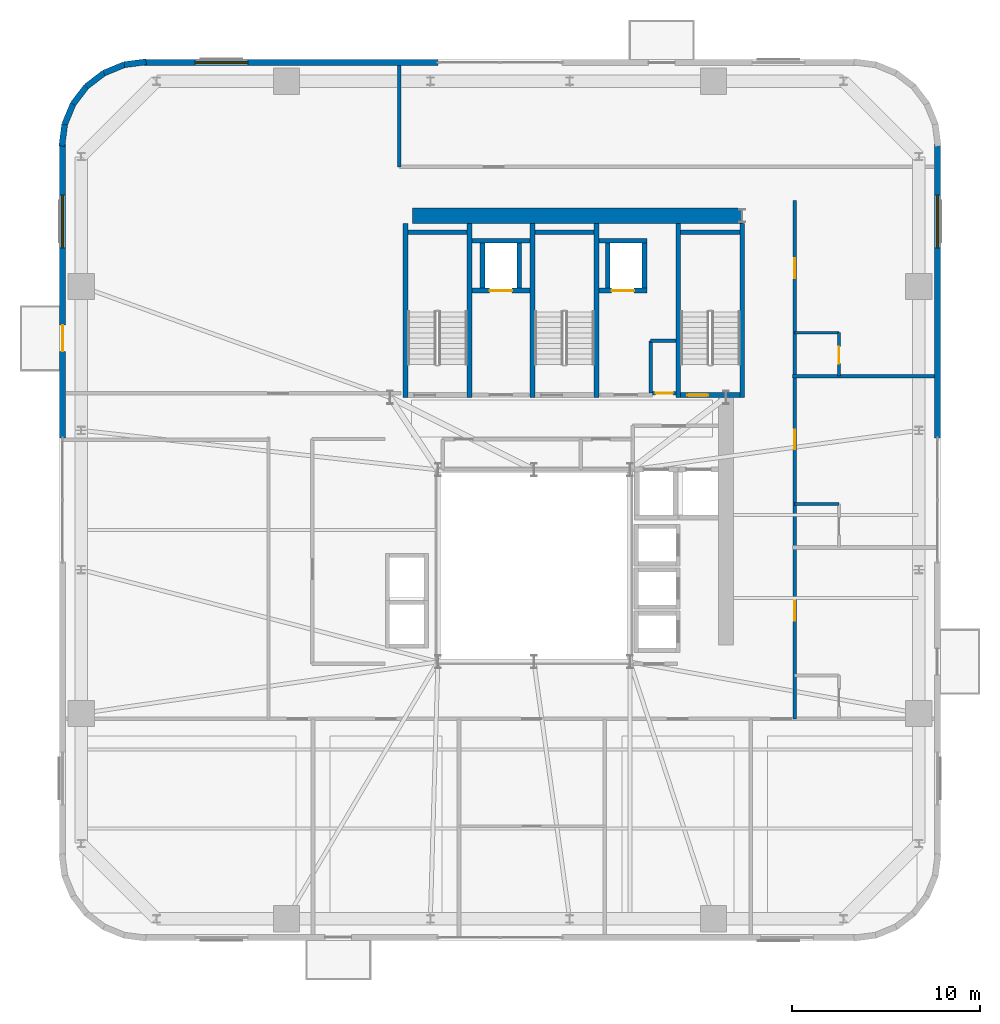
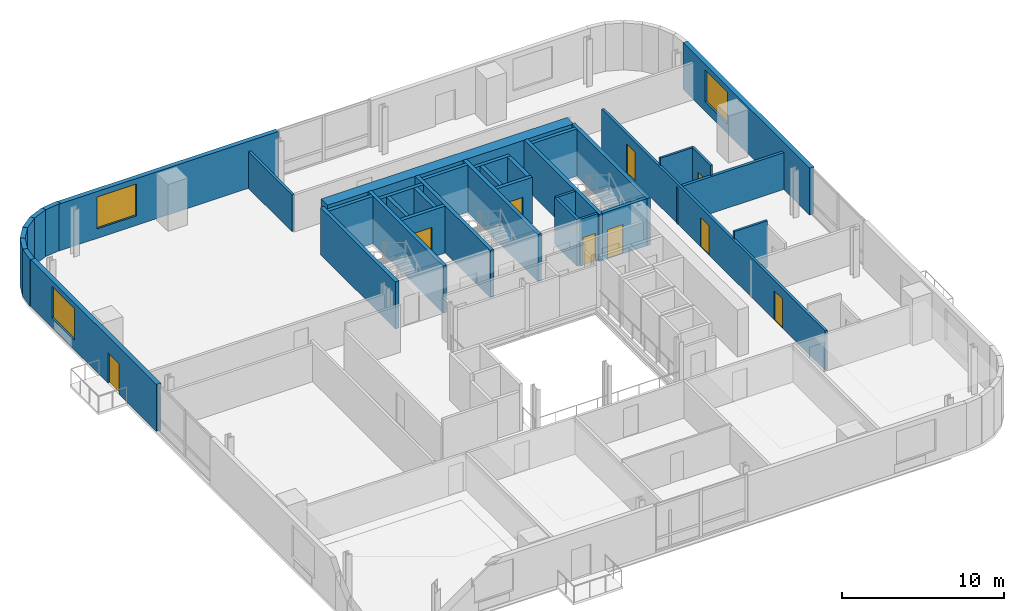
# One storey, part 10 of 16: 37 walls, 9 doors, 3 windows, 12 openings.
"""IFC4 building model written with IfcOpenShell, lengths in metres."""

from ifc_helpers import new_model, si_unit, direction, frame, frame_2d, origin, place, context, subcontext, project, spatial, rectangle, extrude, source, transform, mapped, material, layer, layer_set, type_object, element, fill, save


model = new_model("IFC4")

# Units and contexts
model_context = context("Model", 3, precision=1e-05, world=origin(), true_north=direction((0.0, 1.0)))
body_context = subcontext(model_context, "Body", "Model", "MODEL_VIEW")
ifc_project = project(units=[si_unit("LENGTHUNIT", "METRE"), si_unit("AREAUNIT", "SQUARE_METRE"), si_unit("VOLUMEUNIT", "CUBIC_METRE"), si_unit("PLANEANGLEUNIT", "RADIAN"), si_unit("MASSUNIT", "GRAM", prefix="KILO")], contexts=[model_context])

# Site, building, storey
site_placement = place(None, origin())
site = spatial("IfcSite", under=ifc_project, at=site_placement, CompositionType="ELEMENT")
building_placement = place(site_placement, origin())
building = spatial("IfcBuilding", under=site, at=building_placement, Name="Vardaveli Station Tower", CompositionType="ELEMENT")
storey_placement = place(building_placement, frame((0.0, 0.0, 188.550048828125)))
storey = spatial("IfcBuildingStorey", under=building, at=storey_placement, Name="L48", CompositionType="ELEMENT", Elevation=188.550048828125)

# Wall
ifc_material_1 = material(Name="Concrete C50/60", Category="concrete")
ifc_layer_1 = layer(ifc_material_1, 0.800048828125, Name="Concrete C50/60")
ifc_layer_set_1 = layer_set([ifc_layer_1], Name="Concrete C50/60")
wall_type_1 = type_object("IfcWallType", Name="WAL-CORE-800", PredefinedType="SHEAR", material=ifc_layer_set_1)
shared_shape_1 = source(origin(), body_context, "Body", "SweptSolid", [
    extrude(rectangle(XDim=17.52001953125, YDim=0.800048828125, at=frame_2d((8.760009765625, 0.0))), origin(), (0.0, 0.0, 1.0), 3.530029296875),
])
wall_1_placement = place(storey_placement, frame((29.85009765625, 40.300048828125, 0.0), z_axis=(0.0, 0.0, 1.0), x_axis=(1.0, 0.0, 0.0)))
element("IfcWall", 1, at=wall_1_placement, inside=storey, type_object=wall_type_1, Name="SW-L48-NORTH", PredefinedType="SHEAR", context=body_context, shape_type="MappedRepresentation", body=[
    mapped(shared_shape_1, transform((0.0, 0.0, 0.0), scale=1.0)),
])

# Wall, opening, window
ifc_material_2 = material(Name="Precast concrete C45/55", Category="concrete")
ifc_layer_2 = layer(ifc_material_2, 0.320068359375, Name="Precast concrete C45/55")
ifc_layer_set_2 = layer_set([ifc_layer_2], Name="Precast concrete C45/55")
wall_type_2 = type_object("IfcWallType", Name="WAL-EXT-STONE-320", PredefinedType="SOLIDWALL", material=ifc_layer_set_2)
shared_shape_2 = source(origin(), body_context, "Body", "SweptSolid", [
    extrude(rectangle(XDim=15.599853515625, YDim=0.320068359375, at=frame_2d((7.7998046875, 0.0))), origin(), (0.0, 0.0, 1.0), 3.530029296875),
])
wall_2_placement = place(storey_placement, frame((31.199951171875, 48.43994140625, 0.0), z_axis=(0.0, 0.0, 1.0), x_axis=(-1.0, 0.0, 0.0)))
wall_2 = element("IfcWall", 2, at=wall_2_placement, inside=storey, type_object=wall_type_2, Name="EW-L48-N2", PredefinedType="SOLIDWALL", context=body_context, shape_type="MappedRepresentation", body=[
    mapped(shared_shape_2, transform((0.0, 0.0, 0.0), scale=1.0)),
])
shared_shape_3 = source(origin(), body_context, "Body", "SweptSolid", [
    extrude(rectangle(XDim=2.800048828125, YDim=2.39990234375, at=frame_2d((1.39990234375, 1.199951171875))), frame((0.0, 0.169921875, 0.0), z_axis=(0.0, -1.0, 0.0), x_axis=(1.0, 0.0, 0.0)), (0.0, 0.0, 1.0), 0.340087890625),
])
opening_1_placement = place(wall_2_placement, frame((10.094970703125, 0.0, 0.719970703125)))
opening_1 = element("IfcOpeningElement", 3, at=opening_1_placement, cuts=wall_2, Name="Opening W-04", PredefinedType="OPENING", context=body_context, shape_type="MappedRepresentation", body=[
    mapped(shared_shape_3, transform((0.0, 0.0, 0.0), scale=1.0)),
])
ifc_material_3 = material(Name="Low-E solar-control glass", Category="glass")
window_type = type_object("IfcWindowType", Name="WIN-SUITE-2800x2400", PartitioningType="SINGLE_PANEL", PredefinedType="WINDOW", material=ifc_material_3)
shared_shape_4 = source(origin(), body_context, "Body", "SweptSolid", [
    extrude(rectangle(XDim=2.800048828125, YDim=2.39990234375, at=frame_2d((1.39990234375, 1.199951171875))), frame((0.0, 0.030029296875, 0.0), z_axis=(0.0, -1.0, 0.0), x_axis=(1.0, 0.0, 0.0)), (0.0, 0.0, 1.0), 0.06005859375),
])
window_1_placement = place(opening_1_placement, origin())
window_1 = element("IfcWindow", 4, at=window_1_placement, inside=storey, type_object=window_type, Name="WN-L48-N2", OverallHeight=2.39990234375, OverallWidth=2.800048828125, PartitioningType="SINGLE_PANEL", PredefinedType="WINDOW", context=body_context, shape_type="MappedRepresentation", body=[
    mapped(shared_shape_4, transform((0.0, 0.0, 0.0), scale=1.0)),
])
fill(opening_1, window_1)

# Wall, openings, door, window
shared_shape_5 = source(origin(), body_context, "Body", "SweptSolid", [
    extrude(rectangle(XDim=15.60009765625, YDim=0.320068359375, at=frame_2d((7.800048828125, 0.0))), origin(), (0.0, 0.0, 1.0), 3.530029296875),
])
wall_3_placement = place(storey_placement, frame((11.260009765625, 44.10009765625, 0.0), z_axis=(0.0, 0.0, 1.0), x_axis=(0.0, -1.0, 0.0)))
wall_3 = element("IfcWall", 5, at=wall_3_placement, inside=storey, type_object=wall_type_2, Name="EW-L48-W1", PredefinedType="SOLIDWALL", context=body_context, shape_type="MappedRepresentation", body=[
    mapped(shared_shape_5, transform((0.0, 0.0, 0.0), scale=1.0)),
])
shared_shape_6 = source(origin(), body_context, "Body", "SweptSolid", [
    extrude(rectangle(XDim=1.39990234375, YDim=2.300048828125, at=frame_2d((0.699951171875, 1.14990234375))), frame((0.0, 0.169921875, 0.0), z_axis=(0.0, -1.0, 0.0), x_axis=(1.0, 0.0, 0.0)), (0.0, 0.0, 1.0), 0.340087890625),
])
opening_2_placement = place(wall_3_placement, frame((9.6103515625, 0.0, 0.0)))
opening_2 = element("IfcOpeningElement", 6, at=opening_2_placement, cuts=wall_3, Name="Opening D-09", PredefinedType="OPENING", context=body_context, shape_type="MappedRepresentation", body=[
    mapped(shared_shape_6, transform((0.0, 0.0, 0.0), scale=1.0)),
])
opening_3_placement = place(wall_3_placement, frame((2.705078125, 0.0, 0.719970703125)))
opening_3 = element("IfcOpeningElement", 7, at=opening_3_placement, cuts=wall_3, Name="Opening W-04", PredefinedType="OPENING", context=body_context, shape_type="MappedRepresentation", body=[
    mapped(shared_shape_3, transform((0.0, 0.0, 0.0), scale=1.0)),
])
ifc_material_4 = material(Name="Thermally broken aluminium glass", Category="aluminium")
door_type_1 = type_object("IfcDoorType", Name="DR-LOG-1400x2300", OperationType="DOUBLE_DOOR_SLIDING", PredefinedType="DOOR", material=ifc_material_4)
shared_shape_7 = source(origin(), body_context, "Body", "SweptSolid", [
    extrude(rectangle(XDim=1.39990234375, YDim=2.300048828125, at=frame_2d((0.699951171875, 1.14990234375))), frame((0.0, 0.02490234375, 0.0), z_axis=(0.0, -1.0, 0.0), x_axis=(1.0, 0.0, 0.0)), (0.0, 0.0, 1.0), 0.050048828125),
])
door_1_placement = place(opening_2_placement, frame((1.39990234375, 0.0, 0.0), z_axis=(0.0, 0.0, 1.0), x_axis=(-1.0, 0.0, 0.0)))
door_1 = element("IfcDoor", 8, at=door_1_placement, inside=storey, type_object=door_type_1, Name="DLG-L48-W", OperationType="DOUBLE_DOOR_SLIDING", OverallHeight=2.300048828125, OverallWidth=1.39990234375, PredefinedType="DOOR", context=body_context, shape_type="MappedRepresentation", body=[
    mapped(shared_shape_7, transform((0.0, 0.0, 0.0), scale=1.0)),
])
fill(opening_2, door_1)
window_2_placement = place(opening_3_placement, origin())
window_2 = element("IfcWindow", 9, at=window_2_placement, inside=storey, type_object=window_type, Name="WN-L48-W1", OverallHeight=2.39990234375, OverallWidth=2.800048828125, PartitioningType="SINGLE_PANEL", PredefinedType="WINDOW", context=body_context, shape_type="MappedRepresentation", body=[
    mapped(shared_shape_4, transform((0.0, 0.0, 0.0), scale=1.0)),
])
fill(opening_3, window_2)

# Wall, opening, window
wall_4_placement = place(storey_placement, frame((57.739990234375, 28.5, 0.0), z_axis=(0.0, 0.0, 1.0), x_axis=(0.0, 1.0, 0.0)))
wall_4 = element("IfcWall", 10, at=wall_4_placement, inside=storey, type_object=wall_type_2, Name="EW-L48-E2", PredefinedType="SOLIDWALL", context=body_context, shape_type="MappedRepresentation", body=[
    mapped(shared_shape_5, transform((0.0, 0.0, 0.0), scale=1.0)),
])
opening_4_placement = place(wall_4_placement, frame((10.094970703125, 0.0, 0.719970703125)))
opening_4 = element("IfcOpeningElement", 11, at=opening_4_placement, cuts=wall_4, Name="Opening W-04", PredefinedType="OPENING", context=body_context, shape_type="MappedRepresentation", body=[
    mapped(shared_shape_3, transform((0.0, 0.0, 0.0), scale=1.0)),
])
window_3_placement = place(opening_4_placement, origin())
window_3 = element("IfcWindow", 12, at=window_3_placement, inside=storey, type_object=window_type, Name="WN-L48-E2", OverallHeight=2.39990234375, OverallWidth=2.800048828125, PartitioningType="SINGLE_PANEL", PredefinedType="WINDOW", context=body_context, shape_type="MappedRepresentation", body=[
    mapped(shared_shape_4, transform((0.0, 0.0, 0.0), scale=1.0)),
])
fill(opening_4, window_3)

# Walls
shared_shape_8 = source(origin(), body_context, "Body", "SweptSolid", [
    extrude(rectangle(XDim=1.1689453125, YDim=0.320068359375, at=frame_2d((0.58447265625, 0.0))), origin(), (0.0, 0.0, 1.0), 3.530029296875),
])
wall_5_placement = place(storey_placement, frame((12.53125, 47.1689453125, 0.0), z_axis=(0.0, 0.0, 1.0), x_axis=(-0.608387696831, -0.793639975269, 0.0)))
element("IfcWall", 13, at=wall_5_placement, inside=storey, type_object=wall_type_2, Name="EW-L48-CR4-4", PredefinedType="SOLIDWALL", context=body_context, shape_type="MappedRepresentation", body=[
    mapped(shared_shape_8, transform((0.0, 0.0, 0.0), scale=1.0)),
])
shared_shape_9 = source(origin(), body_context, "Body", "SweptSolid", [
    extrude(rectangle(XDim=1.168701171875, YDim=0.320068359375, at=frame_2d((0.58447265625, 0.0))), origin(), (0.0, 0.0, 1.0), 3.530029296875),
])
wall_6_placement = place(storey_placement, frame((13.458740234375, 47.8798828125, 0.0), z_axis=(0.0, 0.0, 1.0), x_axis=(-0.793663520347, -0.608356981114, 0.0)))
element("IfcWall", 14, at=wall_6_placement, inside=storey, type_object=wall_type_2, Name="EW-L48-CR4-3", PredefinedType="SOLIDWALL", context=body_context, shape_type="MappedRepresentation", body=[
    mapped(shared_shape_9, transform((0.0, 0.0, 0.0), scale=1.0)),
])
shared_shape_10 = source(origin(), body_context, "Body", "SweptSolid", [
    extrude(rectangle(XDim=1.17041015625, YDim=0.320068359375, at=frame_2d((0.585205078125, 0.0))), origin(), (0.0, 0.0, 1.0), 3.530029296875),
])
for number, where, z_axis, x_axis, name in (
    (15, (15.700439453125, 48.4755859375, 0.0), (0.0, 0.0, 1.0), (-0.991735963317, -0.128295670475, 0.0), "EW-L48-CR4-1"),
    (16, (11.37451171875, 45.16015625, 0.0), (0.0, 0.0, 1.0), (-0.128295670475, -0.991735963317, 0.0), "EW-L48-CR4-6"),
):
    element("IfcWall", number, at=place(storey_placement, frame(where, z_axis=z_axis, x_axis=x_axis)), inside=storey, type_object=wall_type_2, Name=name, PredefinedType="SOLIDWALL", context=body_context, shape_type="MappedRepresentation", body=[
        mapped(shared_shape_10, transform((0.0, 0.0, 0.0), scale=1.0)),
    ])
shared_shape_11 = source(origin(), body_context, "Body", "SweptSolid", [
    extrude(rectangle(XDim=1.169189453125, YDim=0.320068359375, at=frame_2d((0.58447265625, 0.0))), origin(), (0.0, 0.0, 1.0), 3.530029296875),
])
for number, where, z_axis, x_axis, name in (
    (17, (14.539794921875, 48.325439453125, 0.0), (0.0, 0.0, 1.0), (-0.924552646638, -0.381054331552, 0.0), "EW-L48-CR4-2"),
    (18, (11.820068359375, 46.2412109375, 0.0), (0.0, 0.0, 1.0), (-0.381054331552, -0.924552646638, 0.0), "EW-L48-CR4-5"),
):
    element("IfcWall", number, at=place(storey_placement, frame(where, z_axis=z_axis, x_axis=x_axis)), inside=storey, type_object=wall_type_2, Name=name, PredefinedType="SOLIDWALL", context=body_context, shape_type="MappedRepresentation", body=[
        mapped(shared_shape_11, transform((0.0, 0.0, 0.0), scale=1.0)),
    ])
ifc_material_5 = material(Name="Concrete C40/50", Category="concrete")
ifc_layer_3 = layer(ifc_material_5, 0.25, Name="Concrete C40/50")
ifc_layer_set_3 = layer_set([ifc_layer_3], Name="Concrete C40/50")
wall_type_3 = type_object("IfcWallType", Name="WAL-SHAFT-250", PredefinedType="SOLIDWALL", material=ifc_layer_set_3)
shared_shape_12 = source(origin(), body_context, "Body", "SweptSolid", [
    extrude(rectangle(XDim=9.25, YDim=0.25, at=frame_2d((4.625, 0.0))), origin(), (0.0, 0.0, 1.0), 3.550048828125),
])
for number, where, z_axis, x_axis, name in (
    (19, (29.47509765625, 30.64990234375, 0.0), (0.0, 0.0, 1.0), (0.0, 1.0, 0.0), "W-L48-ST-1W"),
    (20, (32.875, 30.64990234375, 0.0), (0.0, 0.0, 1.0), (0.0, 1.0, 0.0), "W-L48-ST-1E"),
    (21, (36.22509765625, 30.64990234375, 0.0), (0.0, 0.0, 1.0), (0.0, 1.0, 0.0), "W-L48-ST-2W"),
    (22, (39.625, 30.64990234375, 0.0), (0.0, 0.0, 1.0), (0.0, 1.0, 0.0), "W-L48-ST-2E"),
    (23, (43.97509765625, 30.64990234375, 0.0), (0.0, 0.0, 1.0), (0.0, 1.0, 0.0), "W-L48-ST-3W"),
    (24, (47.375, 30.64990234375, 0.0), (0.0, 0.0, 1.0), (0.0, 1.0, 0.0), "W-L48-ST-3E"),
):
    element("IfcWall", number, at=place(storey_placement, frame(where, z_axis=z_axis, x_axis=x_axis)), inside=storey, type_object=wall_type_3, Name=name, PredefinedType="SOLIDWALL", context=body_context, shape_type="MappedRepresentation", body=[
        mapped(shared_shape_12, transform((0.0, 0.0, 0.0), scale=1.0)),
    ])
shared_shape_13 = source(origin(), body_context, "Body", "SweptSolid", [
    extrude(rectangle(XDim=3.14990234375, YDim=0.25, at=frame_2d((1.574951171875, 0.0))), origin(), (0.0, 0.0, 1.0), 3.550048828125),
])
for number, where, z_axis, x_axis, name in (
    (25, (29.60009765625, 39.425048828125, 0.0), (0.0, 0.0, 1.0), (1.0, 0.0, 0.0), "W-L48-ST-1N"),
    (26, (36.35009765625, 39.425048828125, 0.0), (0.0, 0.0, 1.0), (1.0, 0.0, 0.0), "W-L48-ST-2N"),
    (27, (44.10009765625, 39.425048828125, 0.0), (0.0, 0.0, 1.0), (1.0, 0.0, 0.0), "W-L48-ST-3N"),
):
    element("IfcWall", number, at=place(storey_placement, frame(where, z_axis=z_axis, x_axis=x_axis)), inside=storey, type_object=wall_type_3, Name=name, PredefinedType="SOLIDWALL", context=body_context, shape_type="MappedRepresentation", body=[
        mapped(shared_shape_13, transform((0.0, 0.0, 0.0), scale=1.0)),
    ])

# Wall, opening, door
wall_7_placement = place(storey_placement, frame((44.10009765625, 30.77490234375, 0.0), z_axis=(0.0, 0.0, 1.0), x_axis=(1.0, 0.0, 0.0)))
wall_7 = element("IfcWall", 28, at=wall_7_placement, inside=storey, type_object=wall_type_3, Name="W-L48-ST-3S", PredefinedType="SOLIDWALL", context=body_context, shape_type="MappedRepresentation", body=[
    mapped(shared_shape_13, transform((0.0, 0.0, 0.0), scale=1.0)),
])
shared_shape_14 = source(origin(), body_context, "Body", "SweptSolid", [
    extrude(rectangle(XDim=1.10009765625, YDim=2.199951171875, at=frame_2d((0.550048828125, 1.10009765625))), frame((0.0, 0.135009765625, 0.0), z_axis=(0.0, -1.0, 0.0), x_axis=(1.0, 0.0, 0.0)), (0.0, 0.0, 1.0), 0.27001953125),
])
opening_5_placement = place(wall_7_placement, frame((0.35009765625, 0.0, 0.0)))
opening_5 = element("IfcOpeningElement", 29, at=opening_5_placement, cuts=wall_7, Name="Opening D-04", PredefinedType="OPENING", context=body_context, shape_type="MappedRepresentation", body=[
    mapped(shared_shape_14, transform((0.0, 0.0, 0.0), scale=1.0)),
])
ifc_material_6 = material(Name="Steel smokeproof fire doorset", Category="steel")
door_type_2 = type_object("IfcDoorType", Name="DR-ST-1100x2200", OperationType="NOTDEFINED", PredefinedType="DOOR", material=ifc_material_6)
shared_shape_15 = source(origin(), body_context, "Body", "SweptSolid", [
    extrude(rectangle(XDim=1.10009765625, YDim=2.199951171875, at=frame_2d((0.550048828125, 1.10009765625))), frame((0.0, 0.02490234375, 0.0), z_axis=(0.0, -1.0, 0.0), x_axis=(1.0, 0.0, 0.0)), (0.0, 0.0, 1.0), 0.050048828125),
])
door_2_placement = place(opening_5_placement, origin())
door_2 = element("IfcDoor", 30, at=door_2_placement, inside=storey, type_object=door_type_2, Name="DST-3-L48", OperationType="SINGLE_SWING_LEFT", OverallHeight=2.199951171875, OverallWidth=1.10009765625, PredefinedType="DOOR", context=body_context, shape_type="MappedRepresentation", body=[
    mapped(shared_shape_15, transform((0.0, 0.0, 0.0), scale=1.0)),
])
fill(opening_5, door_2)

shared_shape_16 = source(origin(), body_context, "Body", "SweptSolid", [
    extrude(rectangle(XDim=3.10009765625, YDim=0.25, at=frame_2d((1.550048828125, 0.0))), origin(), (0.0, 0.0, 1.0), 3.530029296875),
])
wall_8_placement = place(storey_placement, frame((33.0, 36.324951171875, 0.0), z_axis=(0.0, 0.0, 1.0), x_axis=(1.0, 0.0, 0.0)))
wall_8 = element("IfcWall", 31, at=wall_8_placement, inside=storey, type_object=wall_type_3, Name="SHW-FFL-01-L48-S", PredefinedType="SOLIDWALL", context=body_context, shape_type="MappedRepresentation", body=[
    mapped(shared_shape_16, transform((0.0, 0.0, 0.0), scale=1.0)),
])
shared_shape_17 = source(origin(), body_context, "Body", "SweptSolid", [
    extrude(rectangle(XDim=1.199951171875, YDim=2.25, at=frame_2d((0.60009765625, 1.125))), frame((0.0, 0.135009765625, 0.0), z_axis=(0.0, -1.0, 0.0), x_axis=(1.0, 0.0, 0.0)), (0.0, 0.0, 1.0), 0.27001953125),
])
opening_6_placement = place(wall_8_placement, frame((0.949951171875, 0.0, 0.0)))
opening_6 = element("IfcOpeningElement", 32, at=opening_6_placement, cuts=wall_8, Name="Opening LD-02", PredefinedType="OPENING", context=body_context, shape_type="MappedRepresentation", body=[
    mapped(shared_shape_17, transform((0.0, 0.0, 0.0), scale=1.0)),
])
ifc_material_7 = material(Name="Brushed stainless steel", Category="steel")
door_type_3 = type_object("IfcDoorType", Name="DR-LD-1200x2250", OperationType="DOUBLE_DOOR_SLIDING", PredefinedType="DOOR", material=ifc_material_7)
shared_shape_18 = source(origin(), body_context, "Body", "SweptSolid", [
    extrude(rectangle(XDim=1.199951171875, YDim=2.25, at=frame_2d((0.60009765625, 1.125))), frame((0.0, 0.02490234375, 0.0), z_axis=(0.0, -1.0, 0.0), x_axis=(1.0, 0.0, 0.0)), (0.0, 0.0, 1.0), 0.050048828125),
])
door_3_placement = place(opening_6_placement, origin())
door_3 = element("IfcDoor", 33, at=door_3_placement, inside=storey, type_object=door_type_3, Name="LD-FFL-01-L48", OperationType="DOUBLE_DOOR_SLIDING", OverallHeight=2.25, OverallWidth=1.199951171875, PredefinedType="DOOR", context=body_context, shape_type="MappedRepresentation", body=[
    mapped(shared_shape_18, transform((0.0, 0.0, 0.0), scale=1.0)),
])
fill(opening_6, door_3)

# Walls
wall_9_placement = place(storey_placement, frame((33.0, 38.97509765625, 0.0), z_axis=(0.0, 0.0, 1.0), x_axis=(1.0, 0.0, 0.0)))
element("IfcWall", 34, at=wall_9_placement, inside=storey, type_object=wall_type_3, Name="SHW-FFL-01-L48-N", PredefinedType="SOLIDWALL", context=body_context, shape_type="MappedRepresentation", body=[
    mapped(shared_shape_16, transform((0.0, 0.0, 0.0), scale=1.0)),
])
shared_shape_19 = source(origin(), body_context, "Body", "SweptSolid", [
    extrude(rectangle(XDim=2.400146484375, YDim=0.25, at=frame_2d((1.2001953125, 0.0))), origin(), (0.0, 0.0, 1.0), 3.530029296875),
])
for number, where, z_axis, x_axis, name in (
    (35, (33.574951171875, 36.449951171875, 0.0), (0.0, 0.0, 1.0), (0.0, 1.0, 0.0), "SHW-FFL-01-L48-W"),
    (36, (35.52490234375, 36.449951171875, 0.0), (0.0, 0.0, 1.0), (0.0, 1.0, 0.0), "SHW-FFL-01-L48-E"),
    (37, (40.22509765625, 36.449951171875, 0.0), (0.0, 0.0, 1.0), (0.0, 1.0, 0.0), "SHW-FFL-02-L48-W"),
    (38, (42.175048828125, 36.449951171875, 0.0), (0.0, 0.0, 1.0), (0.0, 1.0, 0.0), "SHW-FFL-02-L48-E"),
):
    element("IfcWall", number, at=place(storey_placement, frame(where, z_axis=z_axis, x_axis=x_axis)), inside=storey, type_object=wall_type_3, Name=name, PredefinedType="SOLIDWALL", context=body_context, shape_type="MappedRepresentation", body=[
        mapped(shared_shape_19, transform((0.0, 0.0, 0.0), scale=1.0)),
    ])

# Wall, opening, door
shared_shape_20 = source(origin(), body_context, "Body", "SweptSolid", [
    extrude(rectangle(XDim=2.550048828125, YDim=0.25, at=frame_2d((1.27490234375, 0.0))), origin(), (0.0, 0.0, 1.0), 3.530029296875),
])
wall_10_placement = place(storey_placement, frame((39.75, 36.324951171875, 0.0), z_axis=(0.0, 0.0, 1.0), x_axis=(1.0, 0.0, 0.0)))
wall_10 = element("IfcWall", 39, at=wall_10_placement, inside=storey, type_object=wall_type_3, Name="SHW-FFL-02-L48-S", PredefinedType="SOLIDWALL", context=body_context, shape_type="MappedRepresentation", body=[
    mapped(shared_shape_20, transform((0.0, 0.0, 0.0), scale=1.0)),
])
opening_7_placement = place(wall_10_placement, frame((0.675048828125, 0.0, 0.0)))
opening_7 = element("IfcOpeningElement", 40, at=opening_7_placement, cuts=wall_10, Name="Opening LD-02", PredefinedType="OPENING", context=body_context, shape_type="MappedRepresentation", body=[
    mapped(shared_shape_17, transform((0.0, 0.0, 0.0), scale=1.0)),
])
door_4_placement = place(opening_7_placement, origin())
door_4 = element("IfcDoor", 41, at=door_4_placement, inside=storey, type_object=door_type_3, Name="LD-FFL-02-L48", OperationType="DOUBLE_DOOR_SLIDING", OverallHeight=2.25, OverallWidth=1.199951171875, PredefinedType="DOOR", context=body_context, shape_type="MappedRepresentation", body=[
    mapped(shared_shape_18, transform((0.0, 0.0, 0.0), scale=1.0)),
])
fill(opening_7, door_4)

# Wall
wall_11_placement = place(storey_placement, frame((39.75, 38.97509765625, 0.0), z_axis=(0.0, 0.0, 1.0), x_axis=(1.0, 0.0, 0.0)))
element("IfcWall", 42, at=wall_11_placement, inside=storey, type_object=wall_type_3, Name="SHW-FFL-02-L48-N", PredefinedType="SOLIDWALL", context=body_context, shape_type="MappedRepresentation", body=[
    mapped(shared_shape_20, transform((0.0, 0.0, 0.0), scale=1.0)),
])

# Wall, opening, door
ifc_material_8 = material(Name="Moisture-resistant stud partition")
ifc_layer_4 = layer(ifc_material_8, 0.14990234375, Name="Moisture-resistant stud partition")
ifc_layer_set_4 = layer_set([ifc_layer_4], Name="Moisture-resistant stud partition")
wall_type_4 = type_object("IfcWallType", Name="WAL-WET-150", PredefinedType="PARTITIONING", material=ifc_layer_set_4)
shared_shape_21 = source(origin(), body_context, "Body", "SweptSolid", [
    extrude(rectangle(XDim=2.289794921875, YDim=0.14990234375, at=frame_2d((1.14501953125, 0.0))), origin(), (0.0, 0.0, 1.0), 3.530029296875),
])
wall_12_placement = place(storey_placement, frame((52.510009765625, 31.797119140625, 0.0), z_axis=(0.0, 0.0, 1.0), x_axis=(0.0, 1.0, 0.0)))
wall_12 = element("IfcWall", 43, at=wall_12_placement, inside=storey, type_object=wall_type_4, Name="W-L48-BE3-E", PredefinedType="PARTITIONING", context=body_context, shape_type="MappedRepresentation", body=[
    mapped(shared_shape_21, transform((0.0, 0.0, 0.0), scale=1.0)),
])
shared_shape_22 = source(origin(), body_context, "Body", "SweptSolid", [
    extrude(rectangle(XDim=0.89990234375, YDim=2.10009765625, at=frame_2d((0.449951171875, 1.050048828125))), frame((0.0, 0.0849609375, 0.0), z_axis=(0.0, -1.0, 0.0), x_axis=(1.0, 0.0, 0.0)), (0.0, 0.0, 1.0), 0.169921875),
])
opening_8_placement = place(wall_12_placement, frame((0.64990234375, 0.0, 0.0)))
opening_8 = element("IfcOpeningElement", 44, at=opening_8_placement, cuts=wall_12, Name="Opening D-08", PredefinedType="OPENING", context=body_context, shape_type="MappedRepresentation", body=[
    mapped(shared_shape_22, transform((0.0, 0.0, 0.0), scale=1.0)),
])
ifc_material_9 = material(Name="Moisture-resistant oak door")
door_type_4 = type_object("IfcDoorType", Name="DR-BATH-900x2100", OperationType="NOTDEFINED", PredefinedType="DOOR", material=ifc_material_9)
shared_shape_23 = source(origin(), body_context, "Body", "SweptSolid", [
    extrude(rectangle(XDim=0.89990234375, YDim=2.10009765625, at=frame_2d((0.449951171875, 1.050048828125))), frame((0.0, 0.02490234375, 0.0), z_axis=(0.0, -1.0, 0.0), x_axis=(1.0, 0.0, 0.0)), (0.0, 0.0, 1.0), 0.050048828125),
])
door_5_placement = place(opening_8_placement, origin())
door_5 = element("IfcDoor", 45, at=door_5_placement, inside=storey, type_object=door_type_4, Name="D-L48-BE3", OperationType="SINGLE_SWING_RIGHT", OverallHeight=2.10009765625, OverallWidth=0.89990234375, PredefinedType="DOOR", context=body_context, shape_type="MappedRepresentation", body=[
    mapped(shared_shape_23, transform((0.0, 0.0, 0.0), scale=1.0)),
])
fill(opening_8, door_5)

ifc_material_10 = material(Name="Fire-rated gypsum stud partition")
ifc_layer_5 = layer(ifc_material_10, 0.179931640625, Name="Fire-rated gypsum stud partition")
ifc_layer_set_5 = layer_set([ifc_layer_5], Name="Fire-rated gypsum stud partition")
wall_type_5 = type_object("IfcWallType", Name="WAL-CORR-180", PredefinedType="PARTITIONING", material=ifc_layer_set_5)
shared_shape_24 = source(origin(), body_context, "Body", "SweptSolid", [
    extrude(rectangle(XDim=1.247802734375, YDim=0.179931640625, at=frame_2d((0.6240234375, 0.0))), origin(), (0.0, 0.0, 1.0), 3.530029296875),
])
wall_13_placement = place(storey_placement, frame((42.60009765625, 30.8798828125, 0.0), z_axis=(0.0, 0.0, 1.0), x_axis=(1.0, 0.0, 0.0)))
wall_13 = element("IfcWall", 46, at=wall_13_placement, inside=storey, type_object=wall_type_5, Name="W-L48-CBS0-S", PredefinedType="PARTITIONING", context=body_context, shape_type="MappedRepresentation", body=[
    mapped(shared_shape_24, transform((0.0, 0.0, 0.0), scale=1.0)),
])
shared_shape_25 = source(origin(), body_context, "Body", "SweptSolid", [
    extrude(rectangle(XDim=0.919921875, YDim=2.10009765625, at=frame_2d((0.4599609375, 1.050048828125))), frame((0.0, 0.10009765625, 0.0), z_axis=(0.0, -1.0, 0.0), x_axis=(1.0, 0.0, 0.0)), (0.0, 0.0, 1.0), 0.199951171875),
])
opening_9_placement = place(wall_13_placement, frame((0.1640625, 0.0, 0.0)))
opening_9 = element("IfcOpeningElement", 47, at=opening_9_placement, cuts=wall_13, Name="Opening D-07", PredefinedType="OPENING", context=body_context, shape_type="MappedRepresentation", body=[
    mapped(shared_shape_25, transform((0.0, 0.0, 0.0), scale=1.0)),
])
ifc_material_11 = material(Name="Moisture-resistant hardwood door", Category="wood")
door_type_5 = type_object("IfcDoorType", Name="DR-WC-920x2100", OperationType="NOTDEFINED", PredefinedType="DOOR", material=ifc_material_11)
shared_shape_26 = source(origin(), body_context, "Body", "SweptSolid", [
    extrude(rectangle(XDim=0.919921875, YDim=2.10009765625, at=frame_2d((0.4599609375, 1.050048828125))), frame((0.0, 0.02490234375, 0.0), z_axis=(0.0, -1.0, 0.0), x_axis=(1.0, 0.0, 0.0)), (0.0, 0.0, 1.0), 0.050048828125),
])
door_6_placement = place(opening_9_placement, origin())
door_6 = element("IfcDoor", 48, at=door_6_placement, inside=storey, type_object=door_type_5, Name="D-L48-CBS0", OperationType="SINGLE_SWING_LEFT", OverallHeight=2.10009765625, OverallWidth=0.919921875, PredefinedType="DOOR", context=body_context, shape_type="MappedRepresentation", body=[
    mapped(shared_shape_26, transform((0.0, 0.0, 0.0), scale=1.0)),
])
fill(opening_9, door_6)

# Walls
ifc_material_12 = material(Name="Acoustic twin-stud gypsum partition")
ifc_layer_6 = layer(ifc_material_12, 0.199951171875, Name="Acoustic twin-stud gypsum partition")
ifc_layer_set_6 = layer_set([ifc_layer_6], Name="Acoustic twin-stud gypsum partition")
wall_type_6 = type_object("IfcWallType", Name="WAL-PARTY-200", PredefinedType="PARTITIONING", material=ifc_layer_set_6)
shared_shape_27 = source(origin(), body_context, "Body", "SweptSolid", [
    extrude(rectangle(XDim=7.52783203125, YDim=0.199951171875, at=frame_2d((3.763916015625, 0.0))), origin(), (0.0, 0.0, 1.0), 2.77197265625),
])
wall_14_placement = place(storey_placement, frame((50.050048828125, 31.777099609375, 0.0), z_axis=(0.0, 0.0, 1.0), x_axis=(1.0, 0.0, 0.0)))
element("IfcWall", 49, at=wall_14_placement, inside=storey, type_object=wall_type_6, Name="W-L48-PE2", PredefinedType="PARTITIONING", context=body_context, shape_type="MappedRepresentation", body=[
    mapped(shared_shape_27, transform((0.0, 0.0, 0.0), scale=1.0)),
])
shared_shape_28 = source(origin(), body_context, "Body", "SweptSolid", [
    extrude(rectangle(XDim=5.378173828125, YDim=0.179931640625, at=frame_2d((2.68896484375, 0.0))), origin(), (0.0, 0.0, 1.0), 2.77197265625),
])
wall_15_placement = place(storey_placement, frame((29.14990234375, 42.89990234375, 0.0), z_axis=(0.0, 0.0, 1.0), x_axis=(0.0, 1.0, 0.0)))
element("IfcWall", 50, at=wall_15_placement, inside=storey, type_object=wall_type_5, Name="W-L48-NPW", PredefinedType="PARTITIONING", context=body_context, shape_type="MappedRepresentation", body=[
    mapped(shared_shape_28, transform((0.0, 0.0, 0.0), scale=1.0)),
])
shared_shape_29 = source(origin(), body_context, "Body", "SweptSolid", [
    extrude(rectangle(XDim=2.360107421875, YDim=0.14990234375, at=frame_2d((1.18017578125, 0.0))), origin(), (0.0, 0.0, 1.0), 3.530029296875),
])
for number, where, z_axis, x_axis, name in (
    (51, (50.14990234375, 24.98291015625, 0.0), (0.0, 0.0, 1.0), (1.0, 0.0, 0.0), "W-L48-BE2-N"),
    (52, (50.14990234375, 34.0869140625, 0.0), (0.0, 0.0, 1.0), (1.0, 0.0, 0.0), "W-L48-BE3-N"),
):
    element("IfcWall", number, at=place(storey_placement, frame(where, z_axis=z_axis, x_axis=x_axis)), inside=storey, type_object=wall_type_4, Name=name, PredefinedType="PARTITIONING", context=body_context, shape_type="MappedRepresentation", body=[
        mapped(shared_shape_29, transform((0.0, 0.0, 0.0), scale=1.0)),
    ])
shared_shape_30 = source(origin(), body_context, "Body", "SweptSolid", [
    extrude(rectangle(XDim=1.347900390625, YDim=0.179931640625, at=frame_2d((0.673828125, 0.0))), origin(), (0.0, 0.0, 1.0), 3.530029296875),
])
wall_16_placement = place(storey_placement, frame((42.5, 33.64990234375, 0.0), z_axis=(0.0, 0.0, 1.0), x_axis=(1.0, 0.0, 0.0)))
element("IfcWall", 53, at=wall_16_placement, inside=storey, type_object=wall_type_5, Name="W-L48-CBS0-N", PredefinedType="PARTITIONING", context=body_context, shape_type="MappedRepresentation", body=[
    mapped(shared_shape_30, transform((0.0, 0.0, 0.0), scale=1.0)),
])

# Wall, openings, doors
shared_shape_31 = source(origin(), body_context, "Body", "SweptSolid", [
    extrude(rectangle(XDim=27.530029296875, YDim=0.179931640625, at=frame_2d((13.76513671875, 0.0))), origin(), (0.0, 0.0, 1.0), 2.971923828125),
])
wall_17_placement = place(storey_placement, frame((50.14990234375, 13.570068359375, 0.0), z_axis=(0.0, 0.0, 1.0), x_axis=(0.0, 1.0, 0.0)))
wall_17 = element("IfcWall", 54, at=wall_17_placement, inside=storey, type_object=wall_type_5, Name="W-L48-CE", PredefinedType="PARTITIONING", context=body_context, shape_type="MappedRepresentation", body=[
    mapped(shared_shape_31, transform((0.0, 0.0, 0.0), scale=1.0)),
])
shared_shape_32 = source(origin(), body_context, "Body", "SweptSolid", [
    extrude(rectangle(XDim=1.050048828125, YDim=2.199951171875, at=frame_2d((0.52490234375, 1.10009765625))), frame((0.0, 0.10009765625, 0.0), z_axis=(0.0, -1.0, 0.0), x_axis=(1.0, 0.0, 0.0)), (0.0, 0.0, 1.0), 0.199951171875),
])
opening_10_placement = place(wall_17_placement, frame((5.216796875, 0.0, 0.0)))
opening_10 = element("IfcOpeningElement", 55, at=opening_10_placement, cuts=wall_17, Name="Opening D-05", PredefinedType="OPENING", context=body_context, shape_type="MappedRepresentation", body=[
    mapped(shared_shape_32, transform((0.0, 0.0, 0.0), scale=1.0)),
])
opening_11_placement = place(wall_17_placement, frame((14.320068359375, 0.0, 0.0)))
opening_11 = element("IfcOpeningElement", 56, at=opening_11_placement, cuts=wall_17, Name="Opening D-05", PredefinedType="OPENING", context=body_context, shape_type="MappedRepresentation", body=[
    mapped(shared_shape_32, transform((0.0, 0.0, 0.0), scale=1.0)),
])
opening_12_placement = place(wall_17_placement, frame((23.42333984375, 0.0, 0.0)))
opening_12 = element("IfcOpeningElement", 57, at=opening_12_placement, cuts=wall_17, Name="Opening D-05", PredefinedType="OPENING", context=body_context, shape_type="MappedRepresentation", body=[
    mapped(shared_shape_32, transform((0.0, 0.0, 0.0), scale=1.0)),
])
ifc_material_13 = material(Name="Walnut veneer acoustic fire door")
door_type_6 = type_object("IfcDoorType", Name="DR-SUITE-1050x2200", OperationType="NOTDEFINED", PredefinedType="DOOR", material=ifc_material_13)
shared_shape_33 = source(origin(), body_context, "Body", "SweptSolid", [
    extrude(rectangle(XDim=1.050048828125, YDim=2.199951171875, at=frame_2d((0.52490234375, 1.10009765625))), frame((0.0, 0.02490234375, 0.0), z_axis=(0.0, -1.0, 0.0), x_axis=(1.0, 0.0, 0.0)), (0.0, 0.0, 1.0), 0.050048828125),
])
door_7_placement = place(opening_10_placement, origin())
door_7 = element("IfcDoor", 58, at=door_7_placement, inside=storey, type_object=door_type_6, Name="D-L48-GE1", OperationType="SINGLE_SWING_RIGHT", OverallHeight=2.199951171875, OverallWidth=1.050048828125, PredefinedType="DOOR", context=body_context, shape_type="MappedRepresentation", body=[
    mapped(shared_shape_33, transform((0.0, 0.0, 0.0), scale=1.0)),
])
fill(opening_10, door_7)
door_8_placement = place(opening_11_placement, origin())
door_8 = element("IfcDoor", 59, at=door_8_placement, inside=storey, type_object=door_type_6, Name="D-L48-GE2", OperationType="SINGLE_SWING_LEFT", OverallHeight=2.199951171875, OverallWidth=1.050048828125, PredefinedType="DOOR", context=body_context, shape_type="MappedRepresentation", body=[
    mapped(shared_shape_33, transform((0.0, 0.0, 0.0), scale=1.0)),
])
fill(opening_11, door_8)
door_9_placement = place(opening_12_placement, origin())
door_9 = element("IfcDoor", 60, at=door_9_placement, inside=storey, type_object=door_type_6, Name="D-L48-GE3", OperationType="SINGLE_SWING_RIGHT", OverallHeight=2.199951171875, OverallWidth=1.050048828125, PredefinedType="DOOR", context=body_context, shape_type="MappedRepresentation", body=[
    mapped(shared_shape_33, transform((0.0, 0.0, 0.0), scale=1.0)),
])
fill(opening_12, door_9)

# Wall
shared_shape_34 = source(origin(), body_context, "Body", "SweptSolid", [
    extrude(rectangle(XDim=2.7578125, YDim=0.179931640625, at=frame_2d((1.37890625, 0.0))), origin(), (0.0, 0.0, 1.0), 3.530029296875),
])
wall_18_placement = place(storey_placement, frame((42.5, 30.89208984375, 0.0), z_axis=(0.0, 0.0, 1.0), x_axis=(0.0, 1.0, 0.0)))
element("IfcWall", 61, at=wall_18_placement, inside=storey, type_object=wall_type_5, Name="W-L48-CBS0-W", PredefinedType="PARTITIONING", context=body_context, shape_type="MappedRepresentation", body=[
    mapped(shared_shape_34, transform((0.0, 0.0, 0.0), scale=1.0)),
])

save(model, "model.ifc")
